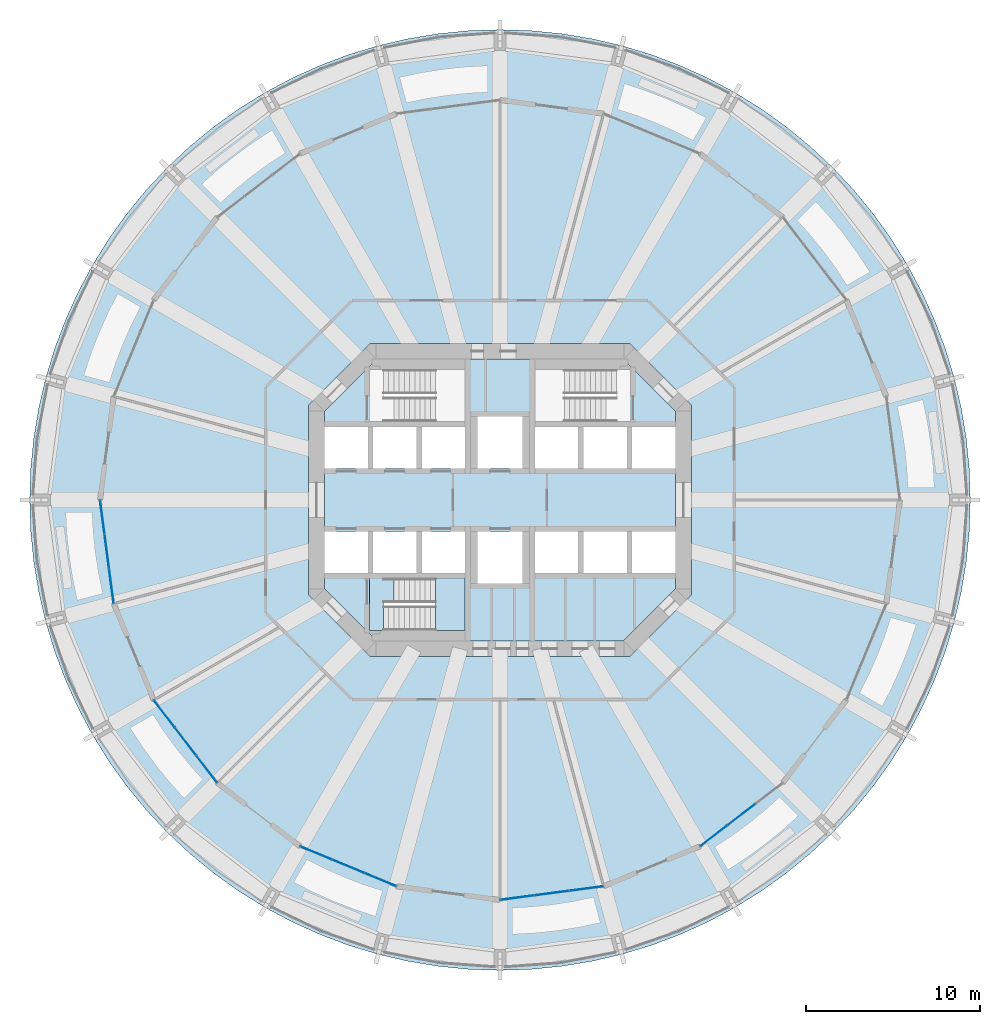
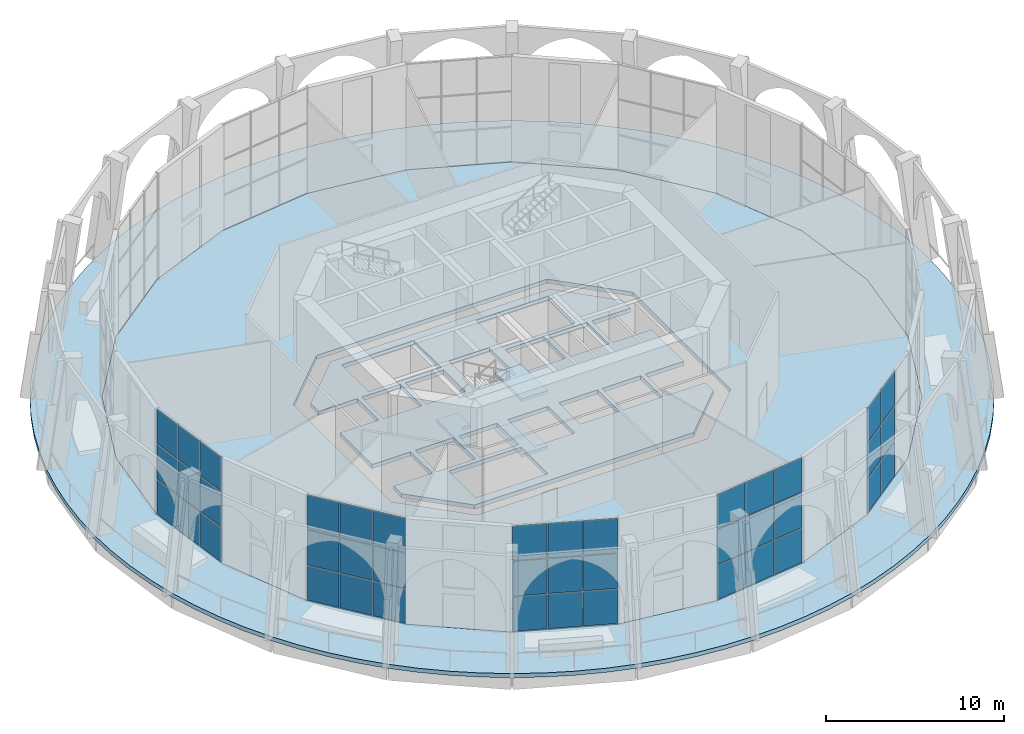
# One storey, part 10 of 19: 42 plates, 6 slabs, 6 elements without a shape of their own.
"""IFC4 building model written with IfcOpenShell, lengths in metres."""

from ifc_helpers import new_model, si_unit, direction, frame, origin, origin_2d, place, context, subcontext, project, spatial, polyline, rectangle, outline, extrude, material, layer, layer_set, type_object, element, aggregate, save


model = new_model("IFC4")

# Units and contexts
model_context = context("Model", 3, precision=1e-05, world=origin(), true_north=direction((0.0, 1.0)))
body_context = subcontext(model_context, "Body", "Model", "MODEL_VIEW")
ifc_project = project(units=[si_unit("LENGTHUNIT", "METRE"), si_unit("AREAUNIT", "SQUARE_METRE"), si_unit("VOLUMEUNIT", "CUBIC_METRE"), si_unit("PLANEANGLEUNIT", "RADIAN"), si_unit("MASSUNIT", "GRAM", prefix="KILO")], contexts=[model_context])

# Site, building, storey
site_placement = place(None, origin())
site = spatial("IfcSite", under=ifc_project, at=site_placement, CompositionType="ELEMENT")
building_placement = place(site_placement, origin())
building = spatial("IfcBuilding", under=site, at=building_placement, Name="Torre Triforio", CompositionType="ELEMENT")
storey_placement = place(building_placement, frame((0.0, 0.0, 79.0)))
storey = spatial("IfcBuildingStorey", under=building, at=storey_placement, Name="L17", CompositionType="ELEMENT", Elevation=79.0)

# Slab
ifc_material_1 = material(Name="Concrete C60", Category="concrete")
ifc_layer_1 = layer(ifc_material_1, 0.280029296875)
ifc_layer_set_1 = layer_set([ifc_layer_1], Name="Concrete C60")
slab_type_1 = type_object("IfcSlabType", Name="Core floor slab 280 mm C60 REI 120", PredefinedType="FLOOR", material=ifc_layer_set_1)
slab_1_placement = place(storey_placement, frame((0.0, 0.0, -0.280029296875)))
element("IfcSlab", 1, at=slab_1_placement, inside=storey, type_object=slab_type_1, Name="Core floor slab", PredefinedType="FLOOR", context=body_context, shape_type="SweptSolid", body=[
    extrude(outline(polyline([(10.10009765625, -5.10009765625), (7.10009765625, -8.10009765625), (-7.10009765625, -8.10009765625), (-10.10009765625, -5.10009765625), (-10.10009765625, -4.199951171875), (-7.60009765625, -4.199951171875), (-7.60009765625, -1.800048828125), (-10.10009765625, -1.800048828125), (-10.10009765625, 1.800048828125), (-7.60009765625, 1.800048828125), (-7.60009765625, 4.199951171875), (-10.10009765625, 4.199951171875), (-10.10009765625, 5.10009765625), (-7.10009765625, 8.10009765625), (7.10009765625, 8.10009765625), (10.10009765625, 5.10009765625), (10.10009765625, 4.199951171875), (7.60009765625, 4.199951171875), (7.60009765625, 1.800048828125), (10.10009765625, 1.800048828125), (10.10009765625, -1.800048828125), (7.60009765625, -1.800048828125), (7.60009765625, -4.199951171875), (10.10009765625, -4.199951171875), (10.10009765625, -5.10009765625)]), holes=[polyline([(-2.0, -4.5), (-6.696044921875, -4.5), (-6.696044921875, -7.5), (-2.0, -7.5), (-2.0, -4.5)]), polyline([(-4.800048828125, -1.800048828125), (-7.300048828125, -1.800048828125), (-7.300048828125, -4.199951171875), (-4.800048828125, -4.199951171875), (-4.800048828125, -1.800048828125)]), polyline([(-2.0, -1.800048828125), (-4.5, -1.800048828125), (-4.5, -4.199951171875), (-2.0, -4.199951171875), (-2.0, -1.800048828125)]), polyline([(-4.800048828125, 4.199951171875), (-7.300048828125, 4.199951171875), (-7.300048828125, 1.800048828125), (-4.800048828125, 1.800048828125), (-4.800048828125, 4.199951171875)]), polyline([(-2.0, 4.199951171875), (-4.5, 4.199951171875), (-4.5, 1.800048828125), (-2.0, 1.800048828125), (-2.0, 4.199951171875)]), polyline([(1.300048828125, 4.800048828125), (-1.300048828125, 4.800048828125), (-1.300048828125, 1.800048828125), (1.300048828125, 1.800048828125), (1.300048828125, 4.800048828125)]), polyline([(-2.0, 7.5), (-6.696044921875, 7.5), (-6.696044921875, 4.5), (-2.0, 4.5), (-2.0, 7.5)]), polyline([(1.300048828125, -1.800048828125), (-1.300048828125, -1.800048828125), (-1.300048828125, -4.800048828125), (1.300048828125, -4.800048828125), (1.300048828125, -1.800048828125)]), polyline([(4.5, -1.800048828125), (2.0, -1.800048828125), (2.0, -4.199951171875), (4.5, -4.199951171875), (4.5, -1.800048828125)]), polyline([(7.300048828125, -1.800048828125), (4.800048828125, -1.800048828125), (4.800048828125, -4.199951171875), (7.300048828125, -4.199951171875), (7.300048828125, -1.800048828125)]), polyline([(4.5, 4.199951171875), (2.0, 4.199951171875), (2.0, 1.800048828125), (4.5, 1.800048828125), (4.5, 4.199951171875)]), polyline([(7.300048828125, 4.199951171875), (4.800048828125, 4.199951171875), (4.800048828125, 1.800048828125), (7.300048828125, 1.800048828125), (7.300048828125, 4.199951171875)]), polyline([(6.696044921875, 4.5), (6.696044921875, 7.5), (2.0, 7.5), (2.0, 4.5), (6.696044921875, 4.5)])]), origin(), (0.0, 0.0, 1.0), 0.280029296875),
])

# Curtain wall, plates
ifc_material_2 = material(Name="Aluminium mullion and transom frame with clear laminated glass", Category="aluminium")
curtain_wall_type = type_object("IfcCurtainWallType", Name="Sky garden conservatory wall ECW3", PredefinedType="NOTDEFINED", material=ifc_material_2)
curtain_wall_1_placement = place(storey_placement, origin())
curtain_wall_1 = element("IfcCurtainWall", 2, at=curtain_wall_1_placement, inside=storey, type_object=curtain_wall_type, Name="Conservatory wall L17 bay 13", PredefinedType="NOTDEFINED")
ifc_material_3 = material(Name="Clear laminated glass", Category="glass")
ifc_layer_2 = layer(ifc_material_3, 0.028076171875)
ifc_layer_set_2 = layer_set([ifc_layer_2], Name="Clear laminated glass")
plate_type = type_object("IfcPlateType", Name="ECW3 glass panel 28", PredefinedType="CURTAIN_PANEL", material=ifc_layer_set_2)
plate_1_placement = place(storey_placement, frame((-22.8701171875, -0.9873046875, 0.06005859375), z_axis=(0.0, 0.0, 1.0), x_axis=(0.130520630599, -0.991445593559, 0.0)))
plate_1 = element("IfcPlate", 3, at=plate_1_placement, type_object=plate_type, Name="ECW3 panel 1.1", PredefinedType="CURTAIN_PANEL", context=body_context, shape_type="SweptSolid", body=[
    extrude(rectangle(XDim=1.931396484375, YDim=0.028076171875, at=origin_2d()), origin(), (0.0, 0.0, 1.0), 2.35009765625),
])
plate_2_placement = place(storey_placement, frame((-22.8701171875, -0.9873046875, 2.469970703125), z_axis=(0.0, 0.0, 1.0), x_axis=(0.130520630599, -0.991445593559, 0.0)))
plate_2 = element("IfcPlate", 4, at=plate_2_placement, type_object=plate_type, Name="ECW3 panel 1.2", PredefinedType="CURTAIN_PANEL", context=body_context, shape_type="SweptSolid", body=[
    extrude(rectangle(XDim=1.931396484375, YDim=0.028076171875, at=origin_2d()), origin(), (0.0, 0.0, 1.0), 2.3798828125),
])
plate_3_placement = place(storey_placement, frame((-22.8701171875, -0.9873046875, 4.909912109375), z_axis=(0.0, 0.0, 1.0), x_axis=(0.130520630599, -0.991445593559, 0.0)))
plate_3 = element("IfcPlate", 5, at=plate_3_placement, type_object=plate_type, Name="ECW3 panel 1.3", PredefinedType="CURTAIN_PANEL", context=body_context, shape_type="SweptSolid", body=[
    extrude(rectangle(XDim=1.931396484375, YDim=0.028076171875, at=origin_2d()), origin(), (0.0, 0.0, 1.0), 2.35009765625),
])
plate_4_placement = place(storey_placement, frame((-22.608154296875, -2.9765625, 0.06005859375), z_axis=(0.0, 0.0, 1.0), x_axis=(0.130520630599, -0.991445593559, 0.0)))
plate_4 = element("IfcPlate", 6, at=plate_4_placement, type_object=plate_type, Name="ECW3 panel 2.1", PredefinedType="CURTAIN_PANEL", context=body_context, shape_type="SweptSolid", body=[
    extrude(rectangle(XDim=1.96142578125, YDim=0.028076171875, at=origin_2d()), origin(), (0.0, 0.0, 1.0), 2.35009765625),
])
plate_5_placement = place(storey_placement, frame((-22.608154296875, -2.9765625, 2.469970703125), z_axis=(0.0, 0.0, 1.0), x_axis=(0.130520630599, -0.991445593559, 0.0)))
plate_5 = element("IfcPlate", 7, at=plate_5_placement, type_object=plate_type, Name="ECW3 panel 2.2", PredefinedType="CURTAIN_PANEL", context=body_context, shape_type="SweptSolid", body=[
    extrude(rectangle(XDim=1.96142578125, YDim=0.028076171875, at=origin_2d()), origin(), (0.0, 0.0, 1.0), 2.3798828125),
])
plate_6_placement = place(storey_placement, frame((-22.608154296875, -2.9765625, 4.909912109375), z_axis=(0.0, 0.0, 1.0), x_axis=(0.130520630599, -0.991445593559, 0.0)))
plate_6 = element("IfcPlate", 8, at=plate_6_placement, type_object=plate_type, Name="ECW3 panel 2.3", PredefinedType="CURTAIN_PANEL", context=body_context, shape_type="SweptSolid", body=[
    extrude(rectangle(XDim=1.96142578125, YDim=0.028076171875, at=origin_2d()), origin(), (0.0, 0.0, 1.0), 2.35009765625),
])
plate_7_placement = place(storey_placement, frame((-22.34619140625, -4.965576171875, 0.06005859375), z_axis=(0.0, 0.0, 1.0), x_axis=(0.130520630599, -0.991445593559, 0.0)))
plate_7 = element("IfcPlate", 9, at=plate_7_placement, type_object=plate_type, Name="ECW3 panel 3.1", PredefinedType="CURTAIN_PANEL", context=body_context, shape_type="SweptSolid", body=[
    extrude(rectangle(XDim=1.931396484375, YDim=0.028076171875, at=origin_2d()), origin(), (0.0, 0.0, 1.0), 2.35009765625),
])
plate_8_placement = place(storey_placement, frame((-22.34619140625, -4.965576171875, 2.469970703125), z_axis=(0.0, 0.0, 1.0), x_axis=(0.130520630599, -0.991445593559, 0.0)))
plate_8 = element("IfcPlate", 10, at=plate_8_placement, type_object=plate_type, Name="ECW3 panel 3.2", PredefinedType="CURTAIN_PANEL", context=body_context, shape_type="SweptSolid", body=[
    extrude(rectangle(XDim=1.931396484375, YDim=0.028076171875, at=origin_2d()), origin(), (0.0, 0.0, 1.0), 2.3798828125),
])
plate_9_placement = place(storey_placement, frame((-22.34619140625, -4.965576171875, 4.909912109375), z_axis=(0.0, 0.0, 1.0), x_axis=(0.130520630599, -0.991445593559, 0.0)))
plate_9 = element("IfcPlate", 11, at=plate_9_placement, type_object=plate_type, Name="ECW3 panel 3.3", PredefinedType="CURTAIN_PANEL", context=body_context, shape_type="SweptSolid", body=[
    extrude(rectangle(XDim=1.931396484375, YDim=0.028076171875, at=origin_2d()), origin(), (0.0, 0.0, 1.0), 2.35009765625),
])
aggregate(curtain_wall_1, [plate_1, plate_2, plate_3, plate_4, plate_5, plate_6, plate_7, plate_8, plate_9])

curtain_wall_2_placement = place(storey_placement, origin())
curtain_wall_2 = element("IfcCurtainWall", 12, at=curtain_wall_2_placement, inside=storey, type_object=curtain_wall_type, Name="Conservatory wall L17 bay 15", PredefinedType="NOTDEFINED")
plate_10_placement = place(storey_placement, frame((-19.3125, -12.2900390625, 0.06005859375), z_axis=(0.0, 0.0, 1.0), x_axis=(0.608752412461, -0.79336025885, 0.0)))
plate_10 = element("IfcPlate", 13, at=plate_10_placement, type_object=plate_type, Name="ECW3 panel 1.1", PredefinedType="CURTAIN_PANEL", context=body_context, shape_type="SweptSolid", body=[
    extrude(rectangle(XDim=1.931396484375, YDim=0.028076171875, at=origin_2d()), origin(), (0.0, 0.0, 1.0), 2.35009765625),
])
plate_11_placement = place(storey_placement, frame((-19.3125, -12.2900390625, 2.469970703125), z_axis=(0.0, 0.0, 1.0), x_axis=(0.608752412461, -0.79336025885, 0.0)))
plate_11 = element("IfcPlate", 14, at=plate_11_placement, type_object=plate_type, Name="ECW3 panel 1.2", PredefinedType="CURTAIN_PANEL", context=body_context, shape_type="SweptSolid", body=[
    extrude(rectangle(XDim=1.931396484375, YDim=0.028076171875, at=origin_2d()), origin(), (0.0, 0.0, 1.0), 2.3798828125),
])
plate_12_placement = place(storey_placement, frame((-19.3125, -12.2900390625, 4.909912109375), z_axis=(0.0, 0.0, 1.0), x_axis=(0.608752412461, -0.79336025885, 0.0)))
plate_12 = element("IfcPlate", 15, at=plate_12_placement, type_object=plate_type, Name="ECW3 panel 1.3", PredefinedType="CURTAIN_PANEL", context=body_context, shape_type="SweptSolid", body=[
    extrude(rectangle(XDim=1.931396484375, YDim=0.028076171875, at=origin_2d()), origin(), (0.0, 0.0, 1.0), 2.35009765625),
])
plate_13_placement = place(storey_placement, frame((-18.091064453125, -13.8818359375, 0.06005859375), z_axis=(0.0, 0.0, 1.0), x_axis=(0.608752412461, -0.79336025885, 0.0)))
plate_13 = element("IfcPlate", 16, at=plate_13_placement, type_object=plate_type, Name="ECW3 panel 2.1", PredefinedType="CURTAIN_PANEL", context=body_context, shape_type="SweptSolid", body=[
    extrude(rectangle(XDim=1.96142578125, YDim=0.028076171875, at=origin_2d()), origin(), (0.0, 0.0, 1.0), 2.35009765625),
])
plate_14_placement = place(storey_placement, frame((-18.091064453125, -13.8818359375, 2.469970703125), z_axis=(0.0, 0.0, 1.0), x_axis=(0.608752412461, -0.79336025885, 0.0)))
plate_14 = element("IfcPlate", 17, at=plate_14_placement, type_object=plate_type, Name="ECW3 panel 2.2", PredefinedType="CURTAIN_PANEL", context=body_context, shape_type="SweptSolid", body=[
    extrude(rectangle(XDim=1.96142578125, YDim=0.028076171875, at=origin_2d()), origin(), (0.0, 0.0, 1.0), 2.3798828125),
])
plate_15_placement = place(storey_placement, frame((-18.091064453125, -13.8818359375, 4.909912109375), z_axis=(0.0, 0.0, 1.0), x_axis=(0.608752412461, -0.79336025885, 0.0)))
plate_15 = element("IfcPlate", 18, at=plate_15_placement, type_object=plate_type, Name="ECW3 panel 2.3", PredefinedType="CURTAIN_PANEL", context=body_context, shape_type="SweptSolid", body=[
    extrude(rectangle(XDim=1.96142578125, YDim=0.028076171875, at=origin_2d()), origin(), (0.0, 0.0, 1.0), 2.35009765625),
])
plate_16_placement = place(storey_placement, frame((-16.86962890625, -15.4736328125, 0.06005859375), z_axis=(0.0, 0.0, 1.0), x_axis=(0.608752412461, -0.79336025885, 0.0)))
plate_16 = element("IfcPlate", 19, at=plate_16_placement, type_object=plate_type, Name="ECW3 panel 3.1", PredefinedType="CURTAIN_PANEL", context=body_context, shape_type="SweptSolid", body=[
    extrude(rectangle(XDim=1.931396484375, YDim=0.028076171875, at=origin_2d()), origin(), (0.0, 0.0, 1.0), 2.35009765625),
])
plate_17_placement = place(storey_placement, frame((-16.86962890625, -15.4736328125, 2.469970703125), z_axis=(0.0, 0.0, 1.0), x_axis=(0.608752412461, -0.79336025885, 0.0)))
plate_17 = element("IfcPlate", 20, at=plate_17_placement, type_object=plate_type, Name="ECW3 panel 3.2", PredefinedType="CURTAIN_PANEL", context=body_context, shape_type="SweptSolid", body=[
    extrude(rectangle(XDim=1.931396484375, YDim=0.028076171875, at=origin_2d()), origin(), (0.0, 0.0, 1.0), 2.3798828125),
])
plate_18_placement = place(storey_placement, frame((-16.86962890625, -15.4736328125, 4.909912109375), z_axis=(0.0, 0.0, 1.0), x_axis=(0.608752412461, -0.79336025885, 0.0)))
plate_18 = element("IfcPlate", 21, at=plate_18_placement, type_object=plate_type, Name="ECW3 panel 3.3", PredefinedType="CURTAIN_PANEL", context=body_context, shape_type="SweptSolid", body=[
    extrude(rectangle(XDim=1.931396484375, YDim=0.028076171875, at=origin_2d()), origin(), (0.0, 0.0, 1.0), 2.35009765625),
])
aggregate(curtain_wall_2, [plate_10, plate_11, plate_12, plate_13, plate_14, plate_15, plate_16, plate_17, plate_18])

curtain_wall_3_placement = place(storey_placement, origin())
curtain_wall_3 = element("IfcCurtainWall", 22, at=curtain_wall_3_placement, inside=storey, type_object=curtain_wall_type, Name="Conservatory wall L17 bay 17", PredefinedType="NOTDEFINED")
plate_19_placement = place(storey_placement, frame((-10.580078125, -20.299560546875, 0.06005859375), z_axis=(0.0, 0.0, 1.0), x_axis=(0.923877952799, -0.382687246105, 0.0)))
plate_19 = element("IfcPlate", 23, at=plate_19_placement, type_object=plate_type, Name="ECW3 panel 1.1", PredefinedType="CURTAIN_PANEL", context=body_context, shape_type="SweptSolid", body=[
    extrude(rectangle(XDim=1.931396484375, YDim=0.028076171875, at=origin_2d()), origin(), (0.0, 0.0, 1.0), 2.35009765625),
])
plate_20_placement = place(storey_placement, frame((-10.580078125, -20.299560546875, 2.469970703125), z_axis=(0.0, 0.0, 1.0), x_axis=(0.923877952799, -0.382687246105, 0.0)))
plate_20 = element("IfcPlate", 24, at=plate_20_placement, type_object=plate_type, Name="ECW3 panel 1.2", PredefinedType="CURTAIN_PANEL", context=body_context, shape_type="SweptSolid", body=[
    extrude(rectangle(XDim=1.931396484375, YDim=0.028076171875, at=origin_2d()), origin(), (0.0, 0.0, 1.0), 2.3798828125),
])
plate_21_placement = place(storey_placement, frame((-10.580078125, -20.299560546875, 4.909912109375), z_axis=(0.0, 0.0, 1.0), x_axis=(0.923877952799, -0.382687246105, 0.0)))
plate_21 = element("IfcPlate", 25, at=plate_21_placement, type_object=plate_type, Name="ECW3 panel 1.3", PredefinedType="CURTAIN_PANEL", context=body_context, shape_type="SweptSolid", body=[
    extrude(rectangle(XDim=1.931396484375, YDim=0.028076171875, at=origin_2d()), origin(), (0.0, 0.0, 1.0), 2.35009765625),
])
plate_22_placement = place(storey_placement, frame((-8.726318359375, -21.0673828125, 0.06005859375), z_axis=(0.0, 0.0, 1.0), x_axis=(0.923877952799, -0.382687246105, 0.0)))
plate_22 = element("IfcPlate", 26, at=plate_22_placement, type_object=plate_type, Name="ECW3 panel 2.1", PredefinedType="CURTAIN_PANEL", context=body_context, shape_type="SweptSolid", body=[
    extrude(rectangle(XDim=1.96142578125, YDim=0.028076171875, at=origin_2d()), origin(), (0.0, 0.0, 1.0), 2.35009765625),
])
plate_23_placement = place(storey_placement, frame((-8.726318359375, -21.0673828125, 2.469970703125), z_axis=(0.0, 0.0, 1.0), x_axis=(0.923877952799, -0.382687246105, 0.0)))
plate_23 = element("IfcPlate", 27, at=plate_23_placement, type_object=plate_type, Name="ECW3 panel 2.2", PredefinedType="CURTAIN_PANEL", context=body_context, shape_type="SweptSolid", body=[
    extrude(rectangle(XDim=1.96142578125, YDim=0.028076171875, at=origin_2d()), origin(), (0.0, 0.0, 1.0), 2.3798828125),
])
plate_24_placement = place(storey_placement, frame((-8.726318359375, -21.0673828125, 4.909912109375), z_axis=(0.0, 0.0, 1.0), x_axis=(0.923877952799, -0.382687246105, 0.0)))
plate_24 = element("IfcPlate", 28, at=plate_24_placement, type_object=plate_type, Name="ECW3 panel 2.3", PredefinedType="CURTAIN_PANEL", context=body_context, shape_type="SweptSolid", body=[
    extrude(rectangle(XDim=1.96142578125, YDim=0.028076171875, at=origin_2d()), origin(), (0.0, 0.0, 1.0), 2.35009765625),
])
plate_25_placement = place(storey_placement, frame((-6.872802734375, -21.835205078125, 0.06005859375), z_axis=(0.0, 0.0, 1.0), x_axis=(0.923877952799, -0.382687246105, 0.0)))
plate_25 = element("IfcPlate", 29, at=plate_25_placement, type_object=plate_type, Name="ECW3 panel 3.1", PredefinedType="CURTAIN_PANEL", context=body_context, shape_type="SweptSolid", body=[
    extrude(rectangle(XDim=1.931396484375, YDim=0.028076171875, at=origin_2d()), origin(), (0.0, 0.0, 1.0), 2.35009765625),
])
plate_26_placement = place(storey_placement, frame((-6.872802734375, -21.835205078125, 2.469970703125), z_axis=(0.0, 0.0, 1.0), x_axis=(0.923877952799, -0.382687246105, 0.0)))
plate_26 = element("IfcPlate", 30, at=plate_26_placement, type_object=plate_type, Name="ECW3 panel 3.2", PredefinedType="CURTAIN_PANEL", context=body_context, shape_type="SweptSolid", body=[
    extrude(rectangle(XDim=1.931396484375, YDim=0.028076171875, at=origin_2d()), origin(), (0.0, 0.0, 1.0), 2.3798828125),
])
plate_27_placement = place(storey_placement, frame((-6.872802734375, -21.835205078125, 4.909912109375), z_axis=(0.0, 0.0, 1.0), x_axis=(0.923877952799, -0.382687246105, 0.0)))
plate_27 = element("IfcPlate", 31, at=plate_27_placement, type_object=plate_type, Name="ECW3 panel 3.3", PredefinedType="CURTAIN_PANEL", context=body_context, shape_type="SweptSolid", body=[
    extrude(rectangle(XDim=1.931396484375, YDim=0.028076171875, at=origin_2d()), origin(), (0.0, 0.0, 1.0), 2.35009765625),
])
aggregate(curtain_wall_3, [plate_19, plate_20, plate_21, plate_22, plate_23, plate_24, plate_25, plate_26, plate_27])

curtain_wall_4_placement = place(storey_placement, origin())
curtain_wall_4 = element("IfcCurtainWall", 32, at=curtain_wall_4_placement, inside=storey, type_object=curtain_wall_type, Name="Conservatory wall L17 bay 19", PredefinedType="NOTDEFINED")
plate_28_placement = place(storey_placement, frame((0.9873046875, -22.8701171875, 0.06005859375), z_axis=(0.0, 0.0, 1.0), x_axis=(0.991445593559, 0.130520630599, 0.0)))
plate_28 = element("IfcPlate", 33, at=plate_28_placement, type_object=plate_type, Name="ECW3 panel 1.1", PredefinedType="CURTAIN_PANEL", context=body_context, shape_type="SweptSolid", body=[
    extrude(rectangle(XDim=1.931396484375, YDim=0.028076171875, at=origin_2d()), origin(), (0.0, 0.0, 1.0), 2.35009765625),
])
plate_29_placement = place(storey_placement, frame((0.9873046875, -22.8701171875, 2.469970703125), z_axis=(0.0, 0.0, 1.0), x_axis=(0.991445593559, 0.130520630599, 0.0)))
plate_29 = element("IfcPlate", 34, at=plate_29_placement, type_object=plate_type, Name="ECW3 panel 1.2", PredefinedType="CURTAIN_PANEL", context=body_context, shape_type="SweptSolid", body=[
    extrude(rectangle(XDim=1.931396484375, YDim=0.028076171875, at=origin_2d()), origin(), (0.0, 0.0, 1.0), 2.3798828125),
])
plate_30_placement = place(storey_placement, frame((0.9873046875, -22.8701171875, 4.909912109375), z_axis=(0.0, 0.0, 1.0), x_axis=(0.991445593559, 0.130520630599, 0.0)))
plate_30 = element("IfcPlate", 35, at=plate_30_placement, type_object=plate_type, Name="ECW3 panel 1.3", PredefinedType="CURTAIN_PANEL", context=body_context, shape_type="SweptSolid", body=[
    extrude(rectangle(XDim=1.931396484375, YDim=0.028076171875, at=origin_2d()), origin(), (0.0, 0.0, 1.0), 2.35009765625),
])
plate_31_placement = place(storey_placement, frame((2.9765625, -22.608154296875, 0.06005859375), z_axis=(0.0, 0.0, 1.0), x_axis=(0.991445593559, 0.130520630599, 0.0)))
plate_31 = element("IfcPlate", 36, at=plate_31_placement, type_object=plate_type, Name="ECW3 panel 2.1", PredefinedType="CURTAIN_PANEL", context=body_context, shape_type="SweptSolid", body=[
    extrude(rectangle(XDim=1.96142578125, YDim=0.028076171875, at=origin_2d()), origin(), (0.0, 0.0, 1.0), 2.35009765625),
])
plate_32_placement = place(storey_placement, frame((2.9765625, -22.608154296875, 2.469970703125), z_axis=(0.0, 0.0, 1.0), x_axis=(0.991445593559, 0.130520630599, 0.0)))
plate_32 = element("IfcPlate", 37, at=plate_32_placement, type_object=plate_type, Name="ECW3 panel 2.2", PredefinedType="CURTAIN_PANEL", context=body_context, shape_type="SweptSolid", body=[
    extrude(rectangle(XDim=1.96142578125, YDim=0.028076171875, at=origin_2d()), origin(), (0.0, 0.0, 1.0), 2.3798828125),
])
plate_33_placement = place(storey_placement, frame((2.9765625, -22.608154296875, 4.909912109375), z_axis=(0.0, 0.0, 1.0), x_axis=(0.991445593559, 0.130520630599, 0.0)))
plate_33 = element("IfcPlate", 38, at=plate_33_placement, type_object=plate_type, Name="ECW3 panel 2.3", PredefinedType="CURTAIN_PANEL", context=body_context, shape_type="SweptSolid", body=[
    extrude(rectangle(XDim=1.96142578125, YDim=0.028076171875, at=origin_2d()), origin(), (0.0, 0.0, 1.0), 2.35009765625),
])
plate_34_placement = place(storey_placement, frame((4.965576171875, -22.34619140625, 0.06005859375), z_axis=(0.0, 0.0, 1.0), x_axis=(0.991445593559, 0.130520630599, 0.0)))
plate_34 = element("IfcPlate", 39, at=plate_34_placement, type_object=plate_type, Name="ECW3 panel 3.1", PredefinedType="CURTAIN_PANEL", context=body_context, shape_type="SweptSolid", body=[
    extrude(rectangle(XDim=1.931396484375, YDim=0.028076171875, at=origin_2d()), origin(), (0.0, 0.0, 1.0), 2.35009765625),
])
plate_35_placement = place(storey_placement, frame((4.965576171875, -22.34619140625, 2.469970703125), z_axis=(0.0, 0.0, 1.0), x_axis=(0.991445593559, 0.130520630599, 0.0)))
plate_35 = element("IfcPlate", 40, at=plate_35_placement, type_object=plate_type, Name="ECW3 panel 3.2", PredefinedType="CURTAIN_PANEL", context=body_context, shape_type="SweptSolid", body=[
    extrude(rectangle(XDim=1.931396484375, YDim=0.028076171875, at=origin_2d()), origin(), (0.0, 0.0, 1.0), 2.3798828125),
])
plate_36_placement = place(storey_placement, frame((4.965576171875, -22.34619140625, 4.909912109375), z_axis=(0.0, 0.0, 1.0), x_axis=(0.991445593559, 0.130520630599, 0.0)))
plate_36 = element("IfcPlate", 41, at=plate_36_placement, type_object=plate_type, Name="ECW3 panel 3.3", PredefinedType="CURTAIN_PANEL", context=body_context, shape_type="SweptSolid", body=[
    extrude(rectangle(XDim=1.931396484375, YDim=0.028076171875, at=origin_2d()), origin(), (0.0, 0.0, 1.0), 2.35009765625),
])
aggregate(curtain_wall_4, [plate_28, plate_29, plate_30, plate_31, plate_32, plate_33, plate_34, plate_35, plate_36])

curtain_wall_5_placement = place(storey_placement, origin())
curtain_wall_5 = element("IfcCurtainWall", 42, at=curtain_wall_5_placement, inside=storey, type_object=curtain_wall_type, Name="Conservatory wall L17 bay 21", PredefinedType="NOTDEFINED")
plate_37_placement = place(storey_placement, frame((12.2900390625, -19.3125, 0.06005859375), z_axis=(0.0, 0.0, 1.0), x_axis=(0.79336025885, 0.608752412461, 0.0)))
plate_37 = element("IfcPlate", 43, at=plate_37_placement, type_object=plate_type, Name="ECW3 panel 1.1", PredefinedType="CURTAIN_PANEL", context=body_context, shape_type="SweptSolid", body=[
    extrude(rectangle(XDim=1.931396484375, YDim=0.028076171875, at=origin_2d()), origin(), (0.0, 0.0, 1.0), 2.35009765625),
])
plate_38_placement = place(storey_placement, frame((12.2900390625, -19.3125, 2.469970703125), z_axis=(0.0, 0.0, 1.0), x_axis=(0.79336025885, 0.608752412461, 0.0)))
plate_38 = element("IfcPlate", 44, at=plate_38_placement, type_object=plate_type, Name="ECW3 panel 1.2", PredefinedType="CURTAIN_PANEL", context=body_context, shape_type="SweptSolid", body=[
    extrude(rectangle(XDim=1.931396484375, YDim=0.028076171875, at=origin_2d()), origin(), (0.0, 0.0, 1.0), 2.3798828125),
])
plate_39_placement = place(storey_placement, frame((12.2900390625, -19.3125, 4.909912109375), z_axis=(0.0, 0.0, 1.0), x_axis=(0.79336025885, 0.608752412461, 0.0)))
plate_39 = element("IfcPlate", 45, at=plate_39_placement, type_object=plate_type, Name="ECW3 panel 1.3", PredefinedType="CURTAIN_PANEL", context=body_context, shape_type="SweptSolid", body=[
    extrude(rectangle(XDim=1.931396484375, YDim=0.028076171875, at=origin_2d()), origin(), (0.0, 0.0, 1.0), 2.35009765625),
])
plate_40_placement = place(storey_placement, frame((13.8818359375, -18.091064453125, 0.06005859375), z_axis=(0.0, 0.0, 1.0), x_axis=(0.79336025885, 0.608752412461, 0.0)))
plate_40 = element("IfcPlate", 46, at=plate_40_placement, type_object=plate_type, Name="ECW3 panel 2.1", PredefinedType="CURTAIN_PANEL", context=body_context, shape_type="SweptSolid", body=[
    extrude(rectangle(XDim=1.96142578125, YDim=0.028076171875, at=origin_2d()), origin(), (0.0, 0.0, 1.0), 2.35009765625),
])
plate_41_placement = place(storey_placement, frame((13.8818359375, -18.091064453125, 2.469970703125), z_axis=(0.0, 0.0, 1.0), x_axis=(0.79336025885, 0.608752412461, 0.0)))
plate_41 = element("IfcPlate", 47, at=plate_41_placement, type_object=plate_type, Name="ECW3 panel 2.2", PredefinedType="CURTAIN_PANEL", context=body_context, shape_type="SweptSolid", body=[
    extrude(rectangle(XDim=1.96142578125, YDim=0.028076171875, at=origin_2d()), origin(), (0.0, 0.0, 1.0), 2.3798828125),
])
plate_42_placement = place(storey_placement, frame((13.8818359375, -18.091064453125, 4.909912109375), z_axis=(0.0, 0.0, 1.0), x_axis=(0.79336025885, 0.608752412461, 0.0)))
plate_42 = element("IfcPlate", 48, at=plate_42_placement, type_object=plate_type, Name="ECW3 panel 2.3", PredefinedType="CURTAIN_PANEL", context=body_context, shape_type="SweptSolid", body=[
    extrude(rectangle(XDim=1.96142578125, YDim=0.028076171875, at=origin_2d()), origin(), (0.0, 0.0, 1.0), 2.35009765625),
])
aggregate(curtain_wall_5, [plate_37, plate_38, plate_39, plate_40, plate_41, plate_42])

# Slabs
ifc_material_4 = material(Name="Concrete C50", Category="concrete")
ifc_layer_3 = layer(ifc_material_4, 0.280029296875)
ifc_layer_set_3 = layer_set([ifc_layer_3], Name="Concrete C50")
slab_type_2 = type_object("IfcSlabType", Name="Floor slab 280 C50", PredefinedType="FLOOR", material=ifc_layer_set_3)
slab_2_placement = place(storey_placement, frame((0.0, 0.0, -0.280029296875)))
element("IfcSlab", 49, at=slab_2_placement, inside=storey, type_object=slab_type_2, Name="SL.L17", PredefinedType="FLOOR", context=body_context, shape_type="SweptSolid", body=[
    extrude(outline(polyline([(19.918701171875, -11.5), (22.21630859375, -5.952880859375), (23.0, 0.0), (22.21630859375, 5.952880859375), (19.918701171875, 11.5), (16.263427734375, 16.263427734375), (11.5, 19.918701171875), (5.952880859375, 22.21630859375), (0.0, 23.0), (-5.952880859375, 22.21630859375), (-11.5, 19.918701171875), (-16.263427734375, 16.263427734375), (-19.918701171875, 11.5), (-22.21630859375, 5.952880859375), (-23.0, 0.0), (-22.21630859375, -5.952880859375), (-19.918701171875, -11.5), (-16.263427734375, -16.263427734375), (-11.5, -19.918701171875), (-5.952880859375, -22.21630859375), (0.0, -23.0), (5.952880859375, -22.21630859375), (11.5, -19.918701171875), (16.263427734375, -16.263427734375), (19.918701171875, -11.5)]), holes=[polyline([(11.0, 5.472900390625), (11.0, -5.472900390625), (7.472900390625, -9.0), (-7.472900390625, -9.0), (-11.0, -5.472900390625), (-11.0, 5.472900390625), (-7.472900390625, 9.0), (7.472900390625, 9.0), (11.0, 5.472900390625)])]), origin(), (0.0, 0.0, 1.0), 0.280029296875),
])
ifc_layer_4 = layer(ifc_material_4, 0.280029296875)
ifc_layer_set_4 = layer_set([ifc_layer_4], Name="Concrete C50")
slab_type_3 = type_object("IfcSlabType", Name="Loggia slab 280 C50", PredefinedType="FLOOR", material=ifc_layer_set_4)
slab_3_placement = place(storey_placement, frame((0.0, 0.0, -0.280029296875)))
element("IfcSlab", 50, at=slab_3_placement, inside=storey, type_object=slab_type_3, Name="SL.L17.LG", PredefinedType="FLOOR", context=body_context, shape_type="SweptSolid", body=[
    extrude(outline(polyline([(26.9921875, -1.76904296875), (27.050048828125, 0.0), (26.9921875, 1.76904296875), (26.818603515625, 3.53076171875), (26.5302734375, 5.277099609375), (26.128173828125, 7.0009765625), (25.614501953125, 8.69482421875), (24.990966796875, 10.3515625), (24.260498046875, 11.9638671875), (23.426025390625, 13.52490234375), (22.4912109375, 15.028076171875), (21.460205078125, 16.467041015625), (20.337158203125, 17.835205078125), (19.127197265625, 19.127197265625), (17.835205078125, 20.337158203125), (16.467041015625, 21.460205078125), (15.028076171875, 22.4912109375), (13.52490234375, 23.426025390625), (11.9638671875, 24.260498046875), (10.3515625, 24.990966796875), (8.69482421875, 25.614501953125), (7.0009765625, 26.128173828125), (5.277099609375, 26.5302734375), (3.53076171875, 26.818603515625), (1.76904296875, 26.9921875), (0.0, 27.050048828125), (-1.76904296875, 26.9921875), (-3.53076171875, 26.818603515625), (-5.277099609375, 26.5302734375), (-7.0009765625, 26.128173828125), (-8.69482421875, 25.614501953125), (-10.3515625, 24.990966796875), (-11.9638671875, 24.260498046875), (-13.52490234375, 23.426025390625), (-15.028076171875, 22.4912109375), (-16.467041015625, 21.460205078125), (-17.835205078125, 20.337158203125), (-19.127197265625, 19.127197265625), (-20.337158203125, 17.835205078125), (-21.460205078125, 16.467041015625), (-22.4912109375, 15.028076171875), (-23.426025390625, 13.52490234375), (-24.260498046875, 11.9638671875), (-24.990966796875, 10.3515625), (-25.614501953125, 8.69482421875), (-26.128173828125, 7.0009765625), (-26.5302734375, 5.277099609375), (-26.818603515625, 3.53076171875), (-26.9921875, 1.76904296875), (-27.050048828125, 0.0), (-26.9921875, -1.76904296875), (-26.818603515625, -3.53076171875), (-26.5302734375, -5.277099609375), (-26.128173828125, -7.0009765625), (-25.614501953125, -8.69482421875), (-24.990966796875, -10.3515625), (-24.260498046875, -11.9638671875), (-23.426025390625, -13.52490234375), (-22.4912109375, -15.028076171875), (-21.460205078125, -16.467041015625), (-20.337158203125, -17.835205078125), (-19.127197265625, -19.127197265625), (-17.835205078125, -20.337158203125), (-16.467041015625, -21.460205078125), (-15.028076171875, -22.4912109375), (-13.52490234375, -23.426025390625), (-11.9638671875, -24.260498046875), (-10.3515625, -24.990966796875), (-8.69482421875, -25.614501953125), (-7.0009765625, -26.128173828125), (-5.277099609375, -26.5302734375), (-3.53076171875, -26.818603515625), (-1.76904296875, -26.9921875), (0.0, -27.050048828125), (1.76904296875, -26.9921875), (3.53076171875, -26.818603515625), (5.277099609375, -26.5302734375), (7.0009765625, -26.128173828125), (8.69482421875, -25.614501953125), (10.3515625, -24.990966796875), (11.9638671875, -24.260498046875), (13.52490234375, -23.426025390625), (15.028076171875, -22.4912109375), (16.467041015625, -21.460205078125), (17.835205078125, -20.337158203125), (19.127197265625, -19.127197265625), (20.337158203125, -17.835205078125), (21.460205078125, -16.467041015625), (22.4912109375, -15.028076171875), (23.426025390625, -13.52490234375), (24.260498046875, -11.9638671875), (24.990966796875, -10.3515625), (25.614501953125, -8.69482421875), (26.128173828125, -7.0009765625), (26.5302734375, -5.277099609375), (26.818603515625, -3.53076171875), (26.9921875, -1.76904296875)]), holes=[polyline([(22.21630859375, 5.952880859375), (23.0, 0.0), (22.21630859375, -5.952880859375), (19.918701171875, -11.5), (16.263427734375, -16.263427734375), (11.5, -19.918701171875), (5.952880859375, -22.21630859375), (0.0, -23.0), (-5.952880859375, -22.21630859375), (-11.5, -19.918701171875), (-16.263427734375, -16.263427734375), (-19.918701171875, -11.5), (-22.21630859375, -5.952880859375), (-23.0, 0.0), (-22.21630859375, 5.952880859375), (-19.918701171875, 11.5), (-16.263427734375, 16.263427734375), (-11.5, 19.918701171875), (-5.952880859375, 22.21630859375), (0.0, 23.0), (5.952880859375, 22.21630859375), (11.5, 19.918701171875), (16.263427734375, 16.263427734375), (19.918701171875, 11.5), (22.21630859375, 5.952880859375)])]), origin(), (0.0, 0.0, 1.0), 0.280029296875),
])

# Stair, slabs
ifc_material_5 = material(Name="Concrete C40", Category="concrete")
stair_type = type_object("IfcStairType", Name="STAIR DOUBLE RETURN", PredefinedType="DOUBLE_RETURN_STAIR", material=ifc_material_5)
stair_placement = place(storey_placement, origin())
stair = element("IfcStair", 51, at=stair_placement, inside=storey, type_object=stair_type, Name="Exit stair 3", PredefinedType="DOUBLE_RETURN_STAIR")
ifc_layer_5 = layer(ifc_material_5, 0.199951171875)
ifc_layer_set_5 = layer_set([ifc_layer_5], Name="Concrete C40")
slab_type_4 = type_object("IfcSlabType", Name="STAIR LANDING 200", PredefinedType="LANDING", material=ifc_layer_set_5)
slab_4_placement = place(storey_placement, frame((0.0, 0.0, 1.699951171875)))
slab_4 = element("IfcSlab", 52, at=slab_4_placement, type_object=slab_type_4, Name="ST3 landing 1", PredefinedType="LANDING", context=body_context, shape_type="SweptSolid", body=[
    extrude(outline(polyline([(-2.0, -7.5), (-2.0, -4.5), (-3.699951171875, -4.5), (-3.699951171875, -7.5), (-2.0, -7.5)])), origin(), (0.0, 0.0, 1.0), 0.199951171875),
])
slab_5_placement = place(storey_placement, frame((0.0, 0.0, 3.60009765625)))
slab_5 = element("IfcSlab", 53, at=slab_5_placement, type_object=slab_type_4, Name="ST3 landing 2", PredefinedType="LANDING", context=body_context, shape_type="SweptSolid", body=[
    extrude(outline(polyline([(-6.696044921875, -7.5), (-7.5, -7.5), (-7.5, -4.5), (-6.699951171875, -4.5), (-6.696044921875, -4.5), (-6.10009765625, -4.5), (-6.10009765625, -5.89990234375), (-6.696044921875, -5.89990234375), (-6.696044921875, -7.5)])), origin(), (0.0, 0.0, 1.0), 0.199951171875),
])
slab_6_placement = place(storey_placement, frame((0.0, 0.0, 5.5)))
slab_6 = element("IfcSlab", 54, at=slab_6_placement, type_object=slab_type_4, Name="ST3 landing 3", PredefinedType="LANDING", context=body_context, shape_type="SweptSolid", body=[
    extrude(outline(polyline([(-2.0, -7.5), (-2.0, -4.5), (-3.699951171875, -4.5), (-3.699951171875, -7.5), (-2.0, -7.5)])), origin(), (0.0, 0.0, 1.0), 0.199951171875),
])
aggregate(stair, [slab_4, slab_5, slab_6])

save(model, "model.ifc")
